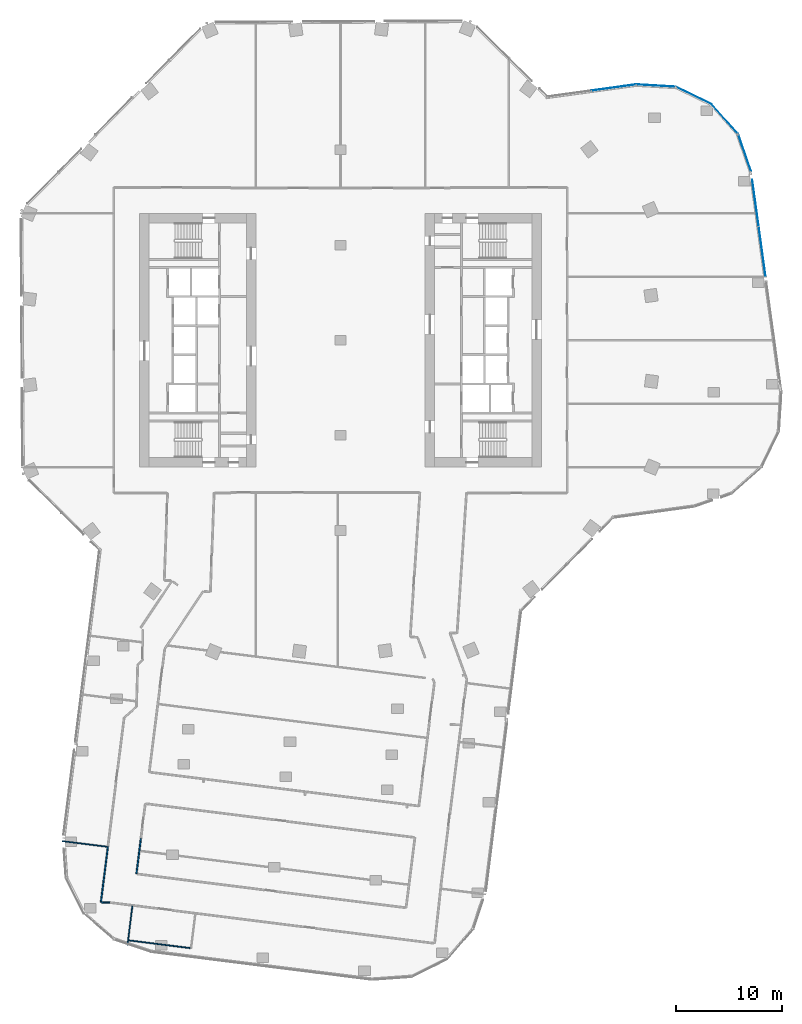
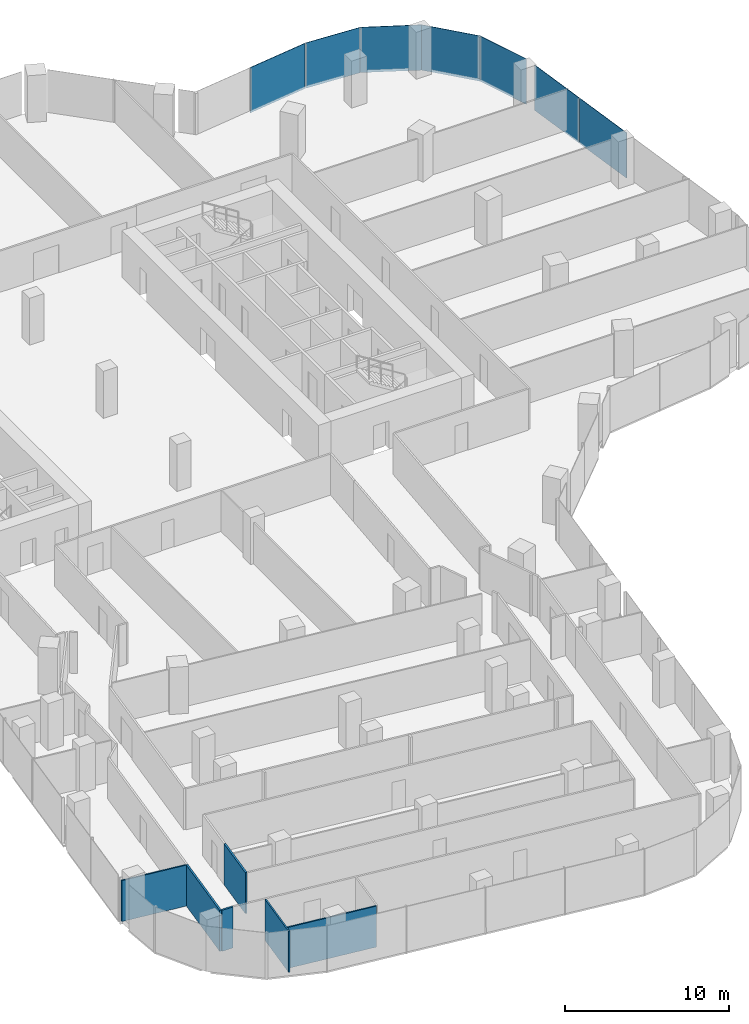
# One storey, part 18 of 27: 7 plates, 6 walls, 6 elements without a shape of their own.
"""IFC4 building model written with IfcOpenShell, lengths in metres."""

from ifc_helpers import new_model, si_unit, direction, frame, frame_2d, origin, origin_2d, place, context, subcontext, project, spatial, rectangle, extrude, material, layer, layer_set, type_object, element, aggregate, save


model = new_model("IFC4")

# Units and contexts
model_context = context("Model", 3, precision=1e-05, world=origin(), true_north=direction((0.0, 1.0)))
body_context = subcontext(model_context, "Body", "Model", "MODEL_VIEW")
ifc_project = project(units=[si_unit("LENGTHUNIT", "METRE"), si_unit("AREAUNIT", "SQUARE_METRE"), si_unit("VOLUMEUNIT", "CUBIC_METRE"), si_unit("PLANEANGLEUNIT", "RADIAN"), si_unit("MASSUNIT", "GRAM", prefix="KILO")], contexts=[model_context])

# Site, building, storey
site_placement = place(None, origin())
site = spatial("IfcSite", under=ifc_project, at=site_placement, CompositionType="ELEMENT")
building_placement = place(site_placement, origin())
building = spatial("IfcBuilding", under=site, at=building_placement, Name="Orlundy Tower", CompositionType="ELEMENT")
storey_placement = place(building_placement, frame((0.0, 0.0, 192.10009765625)))
storey = spatial("IfcBuildingStorey", under=building, at=storey_placement, Name="L50", CompositionType="ELEMENT", Elevation=192.10009765625)

# Curtain wall, plate
ifc_material_1 = material(Name="Aluminium bronze anodised", Category="aluminium")
curtain_wall_type = type_object("IfcCurtainWallType", Name="CW1 wall", PredefinedType="NOTDEFINED", material=ifc_material_1)
curtain_wall_1_placement = place(storey_placement, origin())
curtain_wall_1 = element("IfcCurtainWall", 1, at=curtain_wall_1_placement, inside=storey, type_object=curtain_wall_type, Name="CW1 run 06", PredefinedType="NOTDEFINED")
ifc_material_2 = material(Name="Tinted glass", Category="glass")
ifc_layer_1 = layer(ifc_material_2, 0.031982421875)
ifc_layer_set_1 = layer_set([ifc_layer_1], Name="CW1 glass panel 32")
plate_type = type_object("IfcPlateType", Name="CW1 glass panel 32", PredefinedType="CURTAIN_PANEL", material=ifc_layer_set_1)
plate_1_placement = place(storey_placement, frame((25.857421875, 23.9111328125, -0.300048828125), z_axis=(0.0, 0.0, 1.0), x_axis=(0.990683386349, 0.136185270904, 0.0)))
plate_1 = element("IfcPlate", 2, at=plate_1_placement, type_object=plate_type, Name="CW1 panel", PredefinedType="CURTAIN_PANEL", context=body_context, shape_type="SweptSolid", body=[
    extrude(rectangle(XDim=4.232177734375, YDim=0.031982421875, at=origin_2d()), origin(), (0.0, 0.0, 1.0), 3.3798828125),
])
aggregate(curtain_wall_1, [plate_1])

curtain_wall_2_placement = place(storey_placement, origin())
curtain_wall_2 = element("IfcCurtainWall", 3, at=curtain_wall_2_placement, inside=storey, type_object=curtain_wall_type, Name="CW1 run 07", PredefinedType="NOTDEFINED")
plate_2_placement = place(storey_placement, frame((29.865478515625, 24.090576171875, -0.300048828125), z_axis=(0.0, 0.0, 1.0), x_axis=(0.998236959791, -0.059354630041, 0.0)))
plate_2 = element("IfcPlate", 4, at=plate_2_placement, type_object=plate_type, Name="CW1 panel", PredefinedType="CURTAIN_PANEL", context=body_context, shape_type="SweptSolid", body=[
    extrude(rectangle(XDim=3.730224609375, YDim=0.031982421875, at=origin_2d()), origin(), (0.0, 0.0, 1.0), 3.3798828125),
])
aggregate(curtain_wall_2, [plate_2])

curtain_wall_3_placement = place(storey_placement, origin())
curtain_wall_3 = element("IfcCurtainWall", 5, at=curtain_wall_3_placement, inside=storey, type_object=curtain_wall_type, Name="CW1 run 08", PredefinedType="NOTDEFINED")
plate_3_placement = place(storey_placement, frame((33.423583984375, 23.155029296875, -0.300048828125), z_axis=(0.0, 0.0, 1.0), x_axis=(0.89933544334, -0.43725937423, 0.0)))
plate_3 = element("IfcPlate", 6, at=plate_3_placement, type_object=plate_type, Name="CW1 panel", PredefinedType="CURTAIN_PANEL", context=body_context, shape_type="SweptSolid", body=[
    extrude(rectangle(XDim=3.7724609375, YDim=0.031982421875, at=origin_2d()), origin(), (0.0, 0.0, 1.0), 3.3798828125),
])
aggregate(curtain_wall_3, [plate_3])

curtain_wall_4_placement = place(storey_placement, origin())
curtain_wall_4 = element("IfcCurtainWall", 7, at=curtain_wall_4_placement, inside=storey, type_object=curtain_wall_type, Name="CW1 run 09", PredefinedType="NOTDEFINED")
plate_4_placement = place(storey_placement, frame((36.37158203125, 20.919921875, -0.300048828125), z_axis=(0.0, 0.0, 1.0), x_axis=(0.663760711342, -0.747944996694, 0.0)))
plate_4 = element("IfcPlate", 8, at=plate_4_placement, type_object=plate_type, Name="CW1 panel", PredefinedType="CURTAIN_PANEL", context=body_context, shape_type="SweptSolid", body=[
    extrude(rectangle(XDim=3.771484375, YDim=0.031982421875, at=origin_2d()), origin(), (0.0, 0.0, 1.0), 3.3798828125),
])
aggregate(curtain_wall_4, [plate_4])

curtain_wall_5_placement = place(storey_placement, origin())
curtain_wall_5 = element("IfcCurtainWall", 9, at=curtain_wall_5_placement, inside=storey, type_object=curtain_wall_type, Name="CW1 run 010", PredefinedType="NOTDEFINED")
plate_5_placement = place(storey_placement, frame((38.233154296875, 17.746826171875, -0.300048828125), z_axis=(0.0, 0.0, 1.0), x_axis=(0.32697157273, -0.945034174317, 0.0)))
plate_5 = element("IfcPlate", 10, at=plate_5_placement, type_object=plate_type, Name="CW1 panel", PredefinedType="CURTAIN_PANEL", context=body_context, shape_type="SweptSolid", body=[
    extrude(rectangle(XDim=3.73046875, YDim=0.031982421875, at=origin_2d()), origin(), (0.0, 0.0, 1.0), 3.3798828125),
])
aggregate(curtain_wall_5, [plate_5])

# Curtain wall, plates
curtain_wall_6_placement = place(storey_placement, origin())
curtain_wall_6 = element("IfcCurtainWall", 11, at=curtain_wall_6_placement, inside=storey, type_object=curtain_wall_type, Name="CW1 run 011", PredefinedType="NOTDEFINED")
plate_6_placement = place(storey_placement, frame((39.2607421875, 12.983642578125, -0.300048828125), z_axis=(0.0, 0.0, 1.0), x_axis=(0.13628610677, -0.990669519619, 0.0)))
plate_6 = element("IfcPlate", 12, at=plate_6_placement, type_object=plate_type, Name="CW1 panel", PredefinedType="CURTAIN_PANEL", context=body_context, shape_type="SweptSolid", body=[
    extrude(rectangle(XDim=4.47265625, YDim=0.031982421875, at=origin_2d()), origin(), (0.0, 0.0, 1.0), 3.3798828125),
])
plate_7_placement = place(storey_placement, frame((39.890869140625, 8.4033203125, -0.300048828125), z_axis=(0.0, 0.0, 1.0), x_axis=(0.13628610677, -0.990669519619, 0.0)))
plate_7 = element("IfcPlate", 13, at=plate_7_placement, type_object=plate_type, Name="CW1 panel", PredefinedType="CURTAIN_PANEL", context=body_context, shape_type="SweptSolid", body=[
    extrude(rectangle(XDim=4.67431640625, YDim=0.031982421875, at=origin_2d()), origin(), (0.0, 0.0, 1.0), 3.3798828125),
])
aggregate(curtain_wall_6, [plate_6, plate_7])

# Walls
ifc_material_3 = material(Name="Gypsum board partition")
ifc_layer_2 = layer(ifc_material_3, 0.10009765625)
ifc_layer_set_2 = layer_set([ifc_layer_2], Name="Floor partition 100")
wall_type_1 = type_object("IfcWallType", Name="Floor partition 100", PredefinedType="PARTITIONING", material=ifc_layer_set_2)
wall_1_placement = place(storey_placement, frame((-20.044921875, -56.77490234375, 0.0), z_axis=(0.0, 0.0, 1.0), x_axis=(0.992184639026, -0.124778371847, 0.0)))
element("IfcWall", 14, at=wall_1_placement, inside=storey, type_object=wall_type_1, Name="wall-int-L50-006", PredefinedType="PARTITIONING", context=body_context, shape_type="SweptSolid", body=[
    extrude(rectangle(XDim=5.899169921875, YDim=0.10009765625, at=frame_2d((2.94970703125, 0.0))), origin(), (0.0, 0.0, 1.0), 3.059814453125),
])
wall_2_placement = place(storey_placement, frame((-26.31298828125, -47.386962890625, 0.0), z_axis=(0.0, 0.0, 1.0), x_axis=(0.992174773364, -0.124856794369, 0.0)))
element("IfcWall", 15, at=wall_2_placement, inside=storey, type_object=wall_type_1, Name="wall-int-L50-009", PredefinedType="PARTITIONING", context=body_context, shape_type="SweptSolid", body=[
    extrude(rectangle(XDim=4.2763671875, YDim=0.10009765625, at=frame_2d((2.13818359375, 0.0))), origin(), (0.0, 0.0, 1.0), 3.059814453125),
])
wall_3_placement = place(storey_placement, frame((-20.152099609375, -57.218994140625, 0.0), z_axis=(0.0, 0.0, 1.0), x_axis=(0.124656149898, 0.992200002163, 0.0)))
element("IfcWall", 16, at=wall_3_placement, inside=storey, type_object=wall_type_1, Name="wall-int-L50-058", PredefinedType="PARTITIONING", context=body_context, shape_type="SweptSolid", body=[
    extrude(rectangle(XDim=3.72314453125, YDim=0.10009765625, at=frame_2d((1.861572265625, 0.0))), origin(), (0.0, 0.0, 1.0), 3.059814453125),
])
ifc_material_4 = material(Name="Gypsum board partition, double layer")
ifc_layer_3 = layer(ifc_material_4, 0.125)
ifc_layer_set_3 = layer_set([ifc_layer_3], Name="Floor partition 125")
wall_type_2 = type_object("IfcWallType", Name="Floor partition 125", PredefinedType="PARTITIONING", material=ifc_layer_set_3)
wall_4_placement = place(storey_placement, frame((-22.60595703125, -53.18408203125, 0.0), z_axis=(0.0, 0.0, 1.0), x_axis=(0.999948794941, -0.010119658899, 0.0)))
element("IfcWall", 17, at=wall_4_placement, inside=storey, type_object=wall_type_2, Name="wall-int-L50-026", PredefinedType="PARTITIONING", context=body_context, shape_type="SweptSolid", body=[
    extrude(rectangle(XDim=0.77197265625, YDim=0.125, at=frame_2d((0.385986328125, 0.0))), origin(), (0.0, 0.0, 1.0), 3.059814453125),
])
wall_5_placement = place(storey_placement, frame((-18.884033203125, -47.14599609375, 0.0), z_axis=(0.0, 0.0, 1.0), x_axis=(-0.124739851626, -0.992189482617, 0.0)))
element("IfcWall", 18, at=wall_5_placement, inside=storey, type_object=wall_type_2, Name="wall-int-L50-055", PredefinedType="PARTITIONING", context=body_context, shape_type="SweptSolid", body=[
    extrude(rectangle(XDim=3.366455078125, YDim=0.125, at=frame_2d((1.68310546875, 0.0))), origin(), (0.0, 0.0, 1.0), 3.059814453125),
])
wall_6_placement = place(storey_placement, frame((-22.008056640625, -47.928955078125, 0.0), z_axis=(0.0, 0.0, 1.0), x_axis=(-0.124647679963, -0.992201066256, 0.0)))
element("IfcWall", 19, at=wall_6_placement, inside=storey, type_object=wall_type_2, Name="wall-int-L50-060", PredefinedType="PARTITIONING", context=body_context, shape_type="SweptSolid", body=[
    extrude(rectangle(XDim=5.294189453125, YDim=0.125, at=frame_2d((2.64697265625, 0.0))), origin(), (0.0, 0.0, 1.0), 3.059814453125),
])

save(model, "model.ifc")
